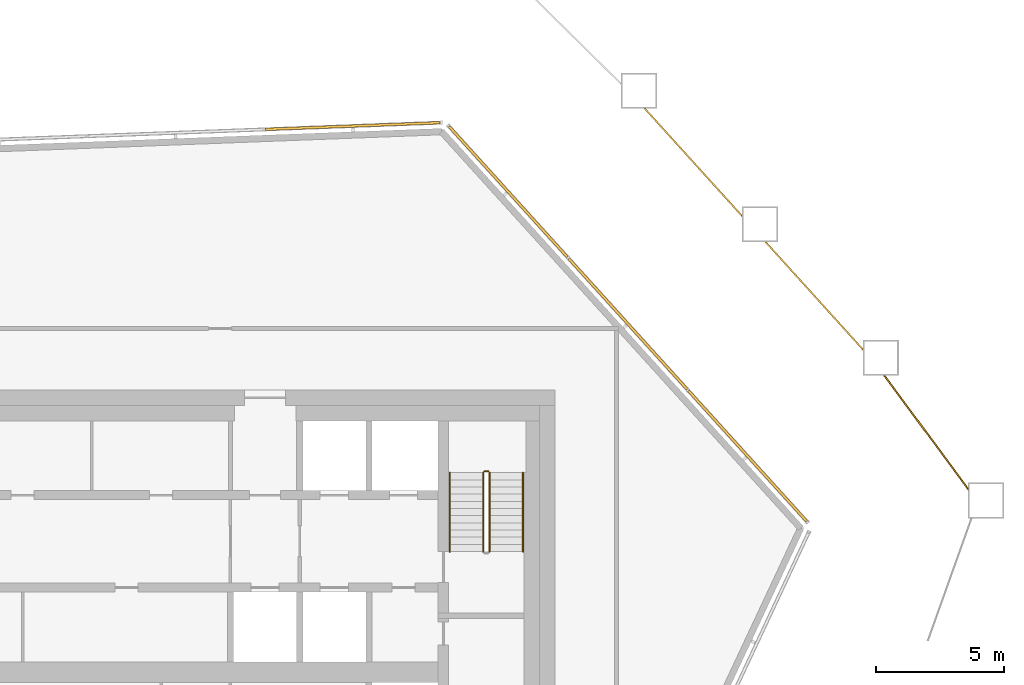
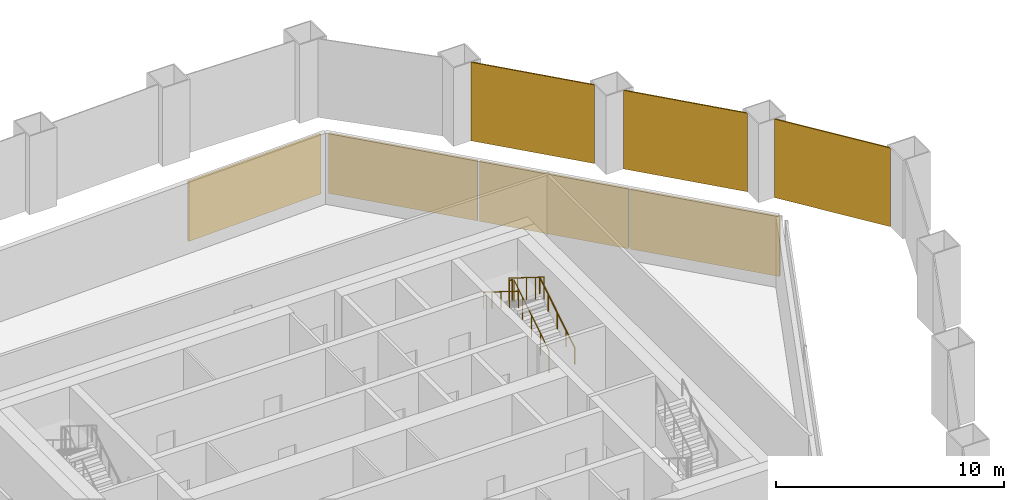
# One storey, part 17 of 18: 7 coverings, 5 railings, 2 elements without a shape of their own.
"""IFC4 building model written with IfcOpenShell, lengths in metres."""

import ifcopenshell
import ifcopenshell.guid

model = None  # the IFC model being written
_history = None  # IfcOwnerHistory: only IFC2X3 demands one
_inside = {}  # id of a spatial element -> (the spatial element, [elements in it])
_under = {}  # id of a project, library or spatial element -> (it, [spatial elements below it])
_declared = {}  # id of a project -> (the project, [libraries it declares])
_typed = {}  # id of a type object -> (the type object, [elements of that type])
_made_of = {}  # id of a material, layer set ... -> (it, [elements and type objects made of it])


def new_model(schema):
    """Start an empty IFC model of exactly this schema.

    Asked for "IFC4X3", IfcOpenShell would pick the latest addendum, in which some entities
    have other attributes; the version numbers below select the first issue.
    IFC2X3 requires an IfcOwnerHistory on every rooted entity: one is made here for all.
    """
    global model, _history
    if schema == "IFC4X3":
        model = ifcopenshell.file(schema_version=(4, 3, 0, 0))
    else:
        model = ifcopenshell.file(schema=schema)
    _inside.clear()
    _under.clear()
    _declared.clear()
    _typed.clear()
    _made_of.clear()
    _history = None
    if model.schema == "IFC2X3":
        org = make("IfcOrganization", Name="unknown")
        user = make(
            "IfcPersonAndOrganization",
            ThePerson=make("IfcPerson", FamilyName="unknown"),
            TheOrganization=org,
        )
        app = make(
            "IfcApplication",
            ApplicationDeveloper=org,
            Version="unknown",
            ApplicationFullName="unknown",
            ApplicationIdentifier="unknown",
        )
        _history = make(
            "IfcOwnerHistory",
            OwningUser=user,
            OwningApplication=app,
            ChangeAction="ADDED",
            CreationDate=0,
        )
    return model


def make(cls, **values):
    """One entity of the class cls with the attributes given. An attribute that is None is left unset."""
    return model.create_entity(
        cls, **{name: value for name, value in values.items() if value is not None}
    )


def rooted(cls, **values):
    """An entity with a GlobalId (a new one), such as an element, a storey or a relation."""
    return make(cls, GlobalId=ifcopenshell.guid.new(), OwnerHistory=_history, **values)


def si_unit(unit_type, name, prefix=None):
    """IfcSIUnit, for example si_unit("LENGTHUNIT", "METRE", prefix="MILLI")."""
    return make("IfcSIUnit", UnitType=unit_type, Prefix=prefix, Name=name)


def assignment(units):
    """IfcUnitAssignment: the units of a project."""
    return None if units is None else make("IfcUnitAssignment", Units=units)


def point(xyz):
    """IfcCartesianPoint."""
    return None if xyz is None else make("IfcCartesianPoint", Coordinates=xyz)


def direction(xyz):
    """IfcDirection."""
    return None if xyz is None else make("IfcDirection", DirectionRatios=xyz)


def frame(location, z_axis=None, x_axis=None):
    """IfcAxis2Placement3D, a coordinate frame: its origin and axes. An axis left out is left unset."""
    return make(
        "IfcAxis2Placement3D",
        Location=point(location),
        Axis=direction(z_axis),
        RefDirection=direction(x_axis),
    )


def frame_2d(location, x_axis=None):
    """IfcAxis2Placement2D, a coordinate frame in the plane: its origin and x axis."""
    return make(
        "IfcAxis2Placement2D", Location=point(location), RefDirection=direction(x_axis)
    )


def origin():
    """The frame at (0, 0, 0) with its axes left unset."""
    return frame((0.0, 0.0, 0.0))


def origin_2d():
    """The frame at (0, 0) in the plane with its x axis left unset."""
    return frame_2d((0.0, 0.0))


def place(relative_to, where):
    """IfcLocalPlacement: puts the frame where relative to a parent placement (None: the world)."""
    return make(
        "IfcLocalPlacement", PlacementRelTo=relative_to, RelativePlacement=where
    )


def context(
    kind, dimensions, precision=None, world=None, true_north=None, identifier=None
):
    """IfcGeometricRepresentationContext, for example the 3D "Model" context."""
    return make(
        "IfcGeometricRepresentationContext",
        ContextIdentifier=identifier,
        ContextType=kind,
        CoordinateSpaceDimension=dimensions,
        Precision=precision,
        WorldCoordinateSystem=world,
        TrueNorth=true_north,
    )


def subcontext(parent, identifier, kind, view, scale=None):
    """IfcGeometricRepresentationSubContext, for example "Body" below "Model"."""
    return make(
        "IfcGeometricRepresentationSubContext",
        ContextIdentifier=identifier,
        ContextType=kind,
        ParentContext=parent,
        TargetScale=scale,
        TargetView=view,
    )


def project(units=None, contexts=None):
    """IfcProject with its units and contexts."""
    return rooted(
        "IfcProject",
        Name="project",
        RepresentationContexts=contexts,
        UnitsInContext=assignment(units),
    )


def spatial(cls, under=None, at=None, **own):
    """A site, building, storey or space (cls), placed at a placement, below another one or the project."""
    s = rooted(cls, ObjectPlacement=at, **own)
    if under is not None:
        _under.setdefault(under.id(), (under, []))[1].append(s)
    return s


def polyline(points):
    """IfcPolyline through the points."""
    return make("IfcPolyline", Points=[point(p) for p in points])


def profile(cls, at=None, kind="AREA", **sizes):
    """A parametric profile (cls). Its sizes go by their IFC names, for example OverallWidth=200.0."""
    return make(cls, ProfileType=kind, Position=at, **sizes)


def rectangle(**sizes):
    """IfcRectangleProfileDef."""
    return profile("IfcRectangleProfileDef", **sizes)


def circle(**sizes):
    """IfcCircleProfileDef."""
    return profile("IfcCircleProfileDef", **sizes)


def outline(outer, holes=None, kind="AREA"):
    """IfcArbitraryClosedProfileDef: a profile drawn as a closed curve; with holes, ...WithVoids."""
    if holes is None:
        return make("IfcArbitraryClosedProfileDef", ProfileType=kind, OuterCurve=outer)
    return make(
        "IfcArbitraryProfileDefWithVoids",
        ProfileType=kind,
        OuterCurve=outer,
        InnerCurves=holes,
    )


def extrude(swept, where, along, depth):
    """IfcExtrudedAreaSolid: the profile swept, set in the frame where, extruded along a direction by depth."""
    return make(
        "IfcExtrudedAreaSolid",
        SweptArea=swept,
        Position=where,
        ExtrudedDirection=direction(along),
        Depth=depth,
    )


def shape(context_of_items, identifier, shape_type, items):
    """IfcShapeRepresentation: the items that make up one representation, for example the "Body"."""
    return make(
        "IfcShapeRepresentation",
        ContextOfItems=context_of_items,
        RepresentationIdentifier=identifier,
        RepresentationType=shape_type,
        Items=items,
    )


def material(Name=None, Category=None):
    """IfcMaterial."""
    return make("IfcMaterial", Name=Name, Category=Category)


def layer(
    of_material, thickness, ventilated=None, Name=None, Category=None, Priority=None
):
    """IfcMaterialLayer: one layer of a wall or slab, of a material (None: an air gap)."""
    return make(
        "IfcMaterialLayer",
        Material=of_material,
        LayerThickness=thickness,
        IsVentilated=ventilated,
        Name=Name,
        Category=Category,
        Priority=Priority,
    )


def layer_set(layers, Name=None):
    """IfcMaterialLayerSet."""
    return make("IfcMaterialLayerSet", MaterialLayers=layers, LayerSetName=Name)


def made_of(thing, what):
    """Note that an element or type object is made of a material, layer set ...; save() writes the relation."""
    if what is not None:
        _made_of.setdefault(what.id(), (what, []))[1].append(thing)
    return thing


def type_object(cls, material=None, **own):
    """A type object (cls), such as IfcWallType, which elements share."""
    return made_of(rooted(cls, **own), material)


def element(
    cls,
    number,
    at=None,
    inside=None,
    cuts=None,
    type_object=None,
    material=None,
    context=None,
    identifier="Body",
    shape_type=None,
    held_by="IfcProductDefinitionShape",
    body=None,
    shapes=None,
    **own,
):
    """One element of the class cls, such as IfcWall. Its Tag is "e" and its number.

    at: its placement. inside: the storey or other place that contains it. cuts: it is an
    opening in that element (IfcRelVoidsElement). A single representation is given by context,
    identifier, shape_type and body (its items); several are given by shapes. held_by: the class
    of the entity that holds the representations. save() writes the other relations.
    """
    e = rooted(cls, Tag="e%d" % number, ObjectPlacement=at, **own)
    if body is not None:
        shapes = [shape(context, identifier, shape_type, body)]
    if shapes is not None:
        e.Representation = make(held_by, Representations=shapes)
    if inside is not None:
        _inside.setdefault(inside.id(), (inside, []))[1].append(e)
    if cuts is not None:
        rooted(
            "IfcRelVoidsElement", RelatingBuildingElement=cuts, RelatedOpeningElement=e
        )
    if type_object is not None:
        _typed.setdefault(type_object.id(), (type_object, []))[1].append(e)
    return made_of(e, material)


def aggregate(whole, parts):
    """IfcRelAggregates: a whole, such as a stair, and the parts it consists of."""
    return rooted("IfcRelAggregates", RelatingObject=whole, RelatedObjects=parts)


def save(model, path):
    """Write the relations noted so far, then the file.

    IfcRelAggregates (storeys below a building ...), IfcRelContainedInSpatialStructure (elements
    in a storey), IfcRelDefinesByType, IfcRelAssociatesMaterial and IfcRelDeclares: one each for
    every whole, place, type object, material and project.
    """
    for whole, parts in _under.values():
        aggregate(whole, parts)
    for where, things in _inside.values():
        rooted(
            "IfcRelContainedInSpatialStructure",
            RelatedElements=things,
            RelatingStructure=where,
        )
    for kind, things in _typed.values():
        rooted("IfcRelDefinesByType", RelatedObjects=things, RelatingType=kind)
    for what, things in _made_of.values():
        rooted("IfcRelAssociatesMaterial", RelatedObjects=things, RelatingMaterial=what)
    for by, libraries in _declared.values():
        rooted("IfcRelDeclares", RelatingContext=by, RelatedDefinitions=libraries)
    model.write(path)


model = new_model("IFC4")

# Units and contexts
model_context = context("Model", 3, precision=1e-05, world=origin(), true_north=direction((0.0, 1.0)))
body_context = subcontext(model_context, "Body", "Model", "MODEL_VIEW")
ifc_project = project(units=[si_unit("LENGTHUNIT", "METRE"), si_unit("AREAUNIT", "SQUARE_METRE"), si_unit("VOLUMEUNIT", "CUBIC_METRE"), si_unit("PLANEANGLEUNIT", "RADIAN"), si_unit("MASSUNIT", "GRAM", prefix="KILO")], contexts=[model_context])

# Site, building, storey
site_placement = place(None, origin())
site = spatial("IfcSite", under=ifc_project, at=site_placement, CompositionType="ELEMENT")
building_placement = place(site_placement, origin())
building = spatial("IfcBuilding", under=site, at=building_placement, Name="Dongbaek Canopy Tower", CompositionType="ELEMENT")
storey_placement = place(building_placement, frame((0.0, 0.0, 359.0)))
storey = spatial("IfcBuildingStorey", under=building, at=storey_placement, Name="L77", CompositionType="ELEMENT", Elevation=359.0)

# Coverings
ifc_material_1 = material(Name="Perforated pale metal")
ifc_layer_1 = layer(ifc_material_1, 0.06005859375)
ifc_layer_set_1 = layer_set([ifc_layer_1], Name="Crown plant screen")
covering_type_1 = type_object("IfcCoveringType", Name="Crown plant screen", PredefinedType="CLADDING", material=ifc_layer_set_1)
covering_1_placement = place(storey_placement, origin())
element("IfcCovering", 1, at=covering_1_placement, inside=storey, type_object=covering_type_1, Name="Crown plant screen 14 L77", PredefinedType="CLADDING", context=body_context, shape_type="SweptSolid", body=[
    extrude(outline(polyline([(30.10498046875, 7.19189453125), (30.10498046875, 7.0908203125), (26.809326171875, 11.556884765625), (26.884033203125, 11.556884765625), (30.10498046875, 7.19189453125)])), origin(), (0.0, 0.0, 1.0), 4.199951171875),
])
covering_2_placement = place(storey_placement, origin())
element("IfcCovering", 2, at=covering_2_placement, inside=storey, type_object=covering_type_1, Name="Crown plant screen 15 L77", PredefinedType="CLADDING", context=body_context, shape_type="SweptSolid", body=[
    extrude(outline(polyline([(26.0029296875, 12.627685546875), (26.0029296875, 12.538330078125), (22.1787109375, 16.761962890625), (22.259521484375, 16.761962890625), (26.0029296875, 12.627685546875)])), origin(), (0.0, 0.0, 1.0), 4.199951171875),
])
covering_3_placement = place(storey_placement, origin())
element("IfcCovering", 3, at=covering_3_placement, inside=storey, type_object=covering_type_1, Name="Crown plant screen 16 L77", PredefinedType="CLADDING", context=body_context, shape_type="SweptSolid", body=[
    extrude(outline(polyline([(21.2900390625, 17.83251953125), (21.2900390625, 17.7431640625), (17.46484375, 21.966064453125), (17.5458984375, 21.966064453125), (21.2900390625, 17.83251953125)])), origin(), (0.0, 0.0, 1.0), 4.199951171875),
])

# Curtain wall, coverings
ifc_material_2 = material(Name="Aluminium 6063-T6 pale anodised", Category="aluminium")
ifc_layer_2 = layer(ifc_material_2, 0.14990234375)
ifc_layer_set_2 = layer_set([ifc_layer_2], Name="CW-7 louvre curtain wall")
curtain_wall_type = type_object("IfcCurtainWallType", Name="CW-7 louvre curtain wall", PredefinedType="NOTDEFINED", material=ifc_layer_set_2)
curtain_wall_1_placement = place(storey_placement, origin())
curtain_wall_1 = element("IfcCurtainWall", 4, at=curtain_wall_1_placement, inside=storey, type_object=curtain_wall_type, Name="CW-7 louvre wall L77 F2", PredefinedType="NOTDEFINED")
ifc_material_3 = material(Name="Aluminium 6063-T6 pale metal louvre blades", Category="aluminium")
ifc_layer_3 = layer(ifc_material_3, 0.10009765625)
ifc_layer_set_3 = layer_set([ifc_layer_3], Name="Louvre LV bank 100 x 3200")
covering_type_2 = type_object("IfcCoveringType", Name="Louvre LV bank 100 x 3200", PredefinedType="CLADDING", material=ifc_layer_set_3)
covering_4_placement = place(storey_placement, frame((21.509033203125, 8.42529296875, 0.2998046875), z_axis=(0.0, 0.0, 1.0), x_axis=(-0.671259717142, 0.741222228581, 0.0)))
covering_4 = element("IfcCovering", 5, at=covering_4_placement, type_object=covering_type_2, Name="Louvre L77 F2.1.1", PredefinedType="CLADDING", context=body_context, shape_type="SweptSolid", body=[
    extrude(rectangle(XDim=6.86181640625, YDim=0.10009765625, at=origin_2d()), origin(), (0.0, 0.0, 1.0), 3.199951171875),
])
covering_5_placement = place(storey_placement, frame((16.842529296875, 13.578125, 0.2998046875), z_axis=(0.0, 0.0, 1.0), x_axis=(-0.671259717142, 0.741222228581, 0.0)))
covering_5 = element("IfcCovering", 6, at=covering_5_placement, type_object=covering_type_2, Name="Louvre L77 F2.1.2", PredefinedType="CLADDING", context=body_context, shape_type="SweptSolid", body=[
    extrude(rectangle(XDim=6.86181640625, YDim=0.10009765625, at=origin_2d()), origin(), (0.0, 0.0, 1.0), 3.199951171875),
])
covering_6_placement = place(storey_placement, frame((12.17578125, 18.73095703125, 0.2998046875), z_axis=(0.0, 0.0, 1.0), x_axis=(-0.671259717142, 0.741222228581, 0.0)))
covering_6 = element("IfcCovering", 7, at=covering_6_placement, type_object=covering_type_2, Name="Louvre L77 F2.1.3", PredefinedType="CLADDING", context=body_context, shape_type="SweptSolid", body=[
    extrude(rectangle(XDim=6.86181640625, YDim=0.10009765625, at=origin_2d()), origin(), (0.0, 0.0, 1.0), 3.199951171875),
])
aggregate(curtain_wall_1, [covering_4, covering_5, covering_6])

# Curtain wall, covering
curtain_wall_2_placement = place(storey_placement, origin())
curtain_wall_2 = element("IfcCurtainWall", 8, at=curtain_wall_2_placement, inside=storey, type_object=curtain_wall_type, Name="CW-7 louvre wall L77 F3", PredefinedType="NOTDEFINED")
covering_7_placement = place(storey_placement, frame((6.1162109375, 21.2900390625, 0.2998046875), z_axis=(0.0, 0.0, 1.0), x_axis=(-0.999268890611, -0.038231979514, 0.0)))
covering_7 = element("IfcCovering", 9, at=covering_7_placement, type_object=covering_type_2, Name="Louvre L77 F3.1.1", PredefinedType="CLADDING", context=body_context, shape_type="SweptSolid", body=[
    extrude(rectangle(XDim=6.822265625, YDim=0.10009765625, at=origin_2d()), origin(), (0.0, 0.0, 1.0), 3.199951171875),
])
aggregate(curtain_wall_2, [covering_7])

# Railings
ifc_material_4 = material(Name="Stainless steel tube and balusters", Category="steel")
railing_type_1 = type_object("IfcRailingType", Name="Stair guard 1200", PredefinedType="GUARDRAIL", material=ifc_material_4)
railing_1_placement = place(storey_placement, frame((11.449951171875, 4.699951171875, 0.175048828125)))
element("IfcRailing", 10, at=railing_1_placement, inside=storey, type_object=railing_type_1, Name="L77 ST-A stair guard 1", PredefinedType="GUARDRAIL", context=body_context, shape_type="SweptSolid", body=[
    extrude(circle(Radius=0.02392578125, at=origin_2d()), frame((0.0, 0.0, 1.17578125), z_axis=(0.0, 0.847998304005, 0.529998940003), x_axis=(-1.0, 0.0, 0.0)), (0.0, 0.0, 1.0), 3.632080078125),
    extrude(circle(Radius=0.02099609375, at=origin_2d()), origin(), (0.0, 0.0, 1.0), 1.15185546875),
    extrude(circle(Radius=0.02099609375, at=origin_2d()), frame((0.0, 0.77001953125, 0.481201171875)), (0.0, 0.0, 1.0), 1.15185546875),
    extrude(circle(Radius=0.02099609375, at=origin_2d()), frame((0.0, 1.5400390625, 0.96240234375)), (0.0, 0.0, 1.0), 1.15185546875),
    extrude(circle(Radius=0.02099609375, at=origin_2d()), frame((0.0, 2.31005859375, 1.44384765625)), (0.0, 0.0, 1.0), 1.15185546875),
    extrude(circle(Radius=0.02099609375, at=origin_2d()), frame((0.0, 3.080078125, 1.925048828125)), (0.0, 0.0, 1.0), 1.15185546875),
])
railing_2_placement = place(storey_placement, frame((11.39990234375, 7.830078125, 2.10009765625)))
element("IfcRailing", 11, at=railing_2_placement, inside=storey, type_object=railing_type_1, Name="L77 ST-A stair guard 2", PredefinedType="GUARDRAIL", context=body_context, shape_type="SweptSolid", body=[
    extrude(circle(Radius=0.02392578125, at=origin_2d()), frame((0.0, 0.0, 1.17578125), z_axis=(-1.0, 0.0, 0.0), x_axis=(0.0, -1.0, 0.0)), (0.0, 0.0, 1.0), 0.14990234375),
    extrude(circle(Radius=0.02099609375, at=origin_2d()), origin(), (0.0, 0.0, 1.0), 1.15185546875),
    extrude(circle(Radius=0.02099609375, at=origin_2d()), frame((-0.14990234375, 0.0, 0.0)), (0.0, 0.0, 1.0), 1.15185546875),
])
railing_3_placement = place(storey_placement, frame((11.199951171875, 7.780029296875, 2.27490234375)))
element("IfcRailing", 12, at=railing_3_placement, inside=storey, type_object=railing_type_1, Name="L77 ST-A stair guard 3", PredefinedType="GUARDRAIL", context=body_context, shape_type="SweptSolid", body=[
    extrude(circle(Radius=0.02392578125, at=origin_2d()), frame((0.0, 0.0, 1.17578125), z_axis=(0.0, -0.847998304005, 0.529998940003), x_axis=(1.0, 0.0, 0.0)), (0.0, 0.0, 1.0), 3.632080078125),
    extrude(circle(Radius=0.02099609375, at=origin_2d()), origin(), (0.0, 0.0, 1.0), 1.15185546875),
    extrude(circle(Radius=0.02099609375, at=origin_2d()), frame((0.0, -0.77001953125, 0.481201171875)), (0.0, 0.0, 1.0), 1.15185546875),
    extrude(circle(Radius=0.02099609375, at=origin_2d()), frame((0.0, -1.5400390625, 0.96240234375)), (0.0, 0.0, 1.0), 1.15185546875),
    extrude(circle(Radius=0.02099609375, at=origin_2d()), frame((0.0, -2.31005859375, 1.44384765625)), (0.0, 0.0, 1.0), 1.15185546875),
    extrude(circle(Radius=0.02099609375, at=origin_2d()), frame((0.0, -3.080078125, 1.925048828125)), (0.0, 0.0, 1.0), 1.15185546875),
])
ifc_material_5 = material(Name="Stainless steel tube", Category="steel")
railing_type_2 = type_object("IfcRailingType", Name="Stair handrail 900", PredefinedType="HANDRAIL", material=ifc_material_5)
railing_4_placement = place(storey_placement, frame((12.75, 4.699951171875, 0.175048828125)))
element("IfcRailing", 13, at=railing_4_placement, inside=storey, type_object=railing_type_2, Name="L77 ST-A stair handrail 1", PredefinedType="HANDRAIL", context=body_context, shape_type="SweptSolid", body=[
    extrude(circle(Radius=0.02392578125, at=origin_2d()), frame((0.0, 0.0, 0.8759765625), z_axis=(0.0, 0.847998304005, 0.529998940003), x_axis=(-1.0, 0.0, 0.0)), (0.0, 0.0, 1.0), 3.632080078125),
    extrude(circle(Radius=0.02099609375, at=origin_2d()), origin(), (0.0, 0.0, 1.0), 0.851806640625),
    extrude(circle(Radius=0.02099609375, at=origin_2d()), frame((0.0, 0.77001953125, 0.481201171875)), (0.0, 0.0, 1.0), 0.851806640625),
    extrude(circle(Radius=0.02099609375, at=origin_2d()), frame((0.0, 1.5400390625, 0.96240234375)), (0.0, 0.0, 1.0), 0.851806640625),
    extrude(circle(Radius=0.02099609375, at=origin_2d()), frame((0.0, 2.31005859375, 1.44384765625)), (0.0, 0.0, 1.0), 0.851806640625),
    extrude(circle(Radius=0.02099609375, at=origin_2d()), frame((0.0, 3.080078125, 1.925048828125)), (0.0, 0.0, 1.0), 0.851806640625),
])
railing_5_placement = place(storey_placement, frame((9.89990234375, 7.780029296875, 2.27490234375)))
element("IfcRailing", 14, at=railing_5_placement, inside=storey, type_object=railing_type_2, Name="L77 ST-A stair handrail 2", PredefinedType="HANDRAIL", context=body_context, shape_type="SweptSolid", body=[
    extrude(circle(Radius=0.02392578125, at=origin_2d()), frame((0.0, 0.0, 0.8759765625), z_axis=(0.0, -0.847998304005, 0.529998940003), x_axis=(1.0, 0.0, 0.0)), (0.0, 0.0, 1.0), 3.632080078125),
    extrude(circle(Radius=0.02099609375, at=origin_2d()), origin(), (0.0, 0.0, 1.0), 0.851806640625),
    extrude(circle(Radius=0.02099609375, at=origin_2d()), frame((0.0, -0.77001953125, 0.481201171875)), (0.0, 0.0, 1.0), 0.851806640625),
    extrude(circle(Radius=0.02099609375, at=origin_2d()), frame((0.0, -1.5400390625, 0.96240234375)), (0.0, 0.0, 1.0), 0.851806640625),
    extrude(circle(Radius=0.02099609375, at=origin_2d()), frame((0.0, -2.31005859375, 1.44384765625)), (0.0, 0.0, 1.0), 0.851806640625),
    extrude(circle(Radius=0.02099609375, at=origin_2d()), frame((0.0, -3.080078125, 1.925048828125)), (0.0, 0.0, 1.0), 0.851806640625),
])

save(model, "model.ifc")
